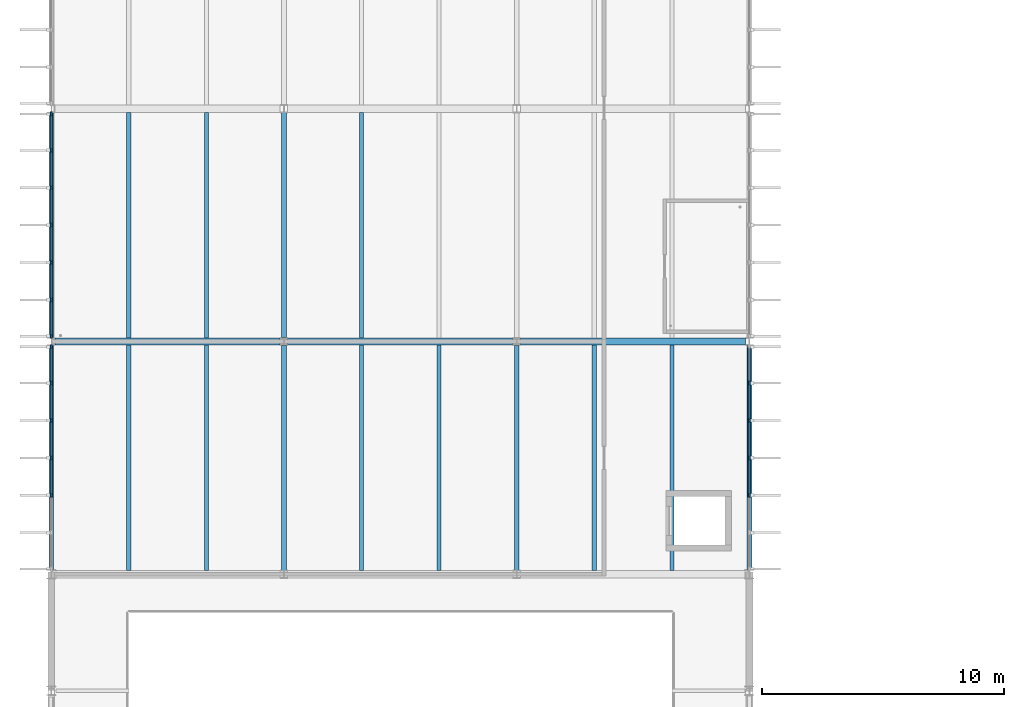
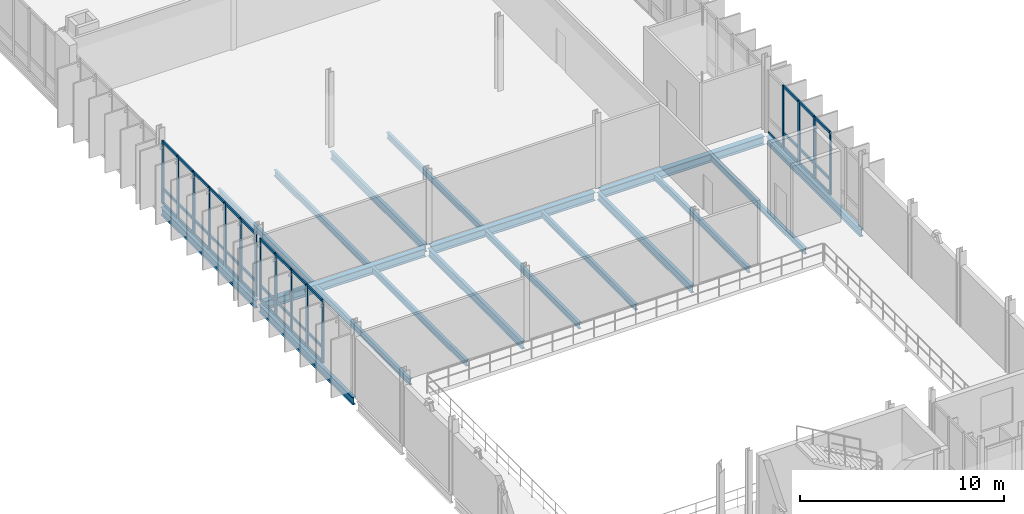
# One storey, part 35 of 107: 56 members, 18 beams, 3 elements without a shape of their own.
"""IFC4 building model written with IfcOpenShell, lengths in metres."""

from ifc_helpers import new_model, si_unit, direction, frame, origin, origin_2d, place, context, subcontext, project, spatial, rectangle, i_section, extrude, material, material_profile, profile_set, type_object, element, aggregate, save


model = new_model("IFC4")

# Units and contexts
model_context = context("Model", 3, precision=1e-05, world=origin(), true_north=direction((0.0, 1.0)))
body_context = subcontext(model_context, "Body", "Model", "MODEL_VIEW")
ifc_project = project(units=[si_unit("LENGTHUNIT", "METRE"), si_unit("AREAUNIT", "SQUARE_METRE"), si_unit("VOLUMEUNIT", "CUBIC_METRE"), si_unit("PLANEANGLEUNIT", "RADIAN"), si_unit("MASSUNIT", "GRAM", prefix="KILO")], contexts=[model_context])

# Site, building, storey
site_placement = place(None, origin())
site = spatial("IfcSite", under=ifc_project, at=site_placement, CompositionType="ELEMENT")
building_placement = place(site_placement, origin())
building = spatial("IfcBuilding", under=site, at=building_placement, Name="Dunescarp Central Library", CompositionType="ELEMENT")
storey_placement = place(building_placement, frame((0.0, 0.0, 5.10009765625)))
storey = spatial("IfcBuildingStorey", under=building, at=storey_placement, Name="L01", CompositionType="ELEMENT", Elevation=5.10009765625)

# Curtain wall, members
ifc_material_1 = material(Name="Marine-grade anodised aluminium 6063-T6", Category="aluminium")
curtain_wall_type = type_object("IfcCurtainWallType", Name="ARC-CW-STICK", PredefinedType="NOTDEFINED", material=ifc_material_1)
curtain_wall_1_placement = place(storey_placement, origin())
curtain_wall_1 = element("IfcCurtainWall", 1, at=curtain_wall_1_placement, inside=storey, type_object=curtain_wall_type, Name="L01 curtain wall CW-V4-118", PredefinedType="NOTDEFINED")
ifc_material_profile_1 = material_profile(ifc_material_1, rectangle(XDim=0.080078125, YDim=0.179931640625, at=origin_2d()), Name="AL 80x180")
ifc_profile_set_1 = profile_set([ifc_material_profile_1], Name="Marine-grade anodised aluminium 6063-T6")
member_type_1 = type_object("IfcMemberType", Name="ARC-CWM-180", PredefinedType="MULLION", material=ifc_profile_set_1)
member_1_placement = place(storey_placement, frame((0.0, 64.058349609375, 0.0), z_axis=(0.0, 0.0, 1.0), x_axis=(-1.0, 0.0, 0.0)))
member_1 = element("IfcMember", 2, at=member_1_placement, type_object=member_type_1, Name="CW-V4-118 mullion 3", PredefinedType="MULLION", context=body_context, shape_type="SweptSolid", body=[
    extrude(rectangle(XDim=0.080078125, YDim=0.179931640625, at=origin_2d()), origin(), (0.0, 0.0, 1.0), 3.73193359375),
])
member_2_placement = place(storey_placement, frame((0.0, 65.60009765625, 0.0), z_axis=(0.0, 0.0, 1.0), x_axis=(-1.0, 0.0, 0.0)))
member_2 = element("IfcMember", 3, at=member_2_placement, type_object=member_type_1, Name="CW-V4-118 mullion 4", PredefinedType="MULLION", context=body_context, shape_type="SweptSolid", body=[
    extrude(rectangle(XDim=0.080078125, YDim=0.179931640625, at=origin_2d()), origin(), (0.0, 0.0, 1.0), 3.73193359375),
])
member_3_placement = place(storey_placement, frame((0.0, 67.1416015625, 0.0), z_axis=(0.0, 0.0, 1.0), x_axis=(-1.0, 0.0, 0.0)))
member_3 = element("IfcMember", 4, at=member_3_placement, type_object=member_type_1, Name="CW-V4-118 mullion 5", PredefinedType="MULLION", context=body_context, shape_type="SweptSolid", body=[
    extrude(rectangle(XDim=0.080078125, YDim=0.179931640625, at=origin_2d()), origin(), (0.0, 0.0, 1.0), 3.73193359375),
])
member_4_placement = place(storey_placement, frame((0.0, 68.683349609375, 0.0), z_axis=(0.0, 0.0, 1.0), x_axis=(-1.0, 0.0, 0.0)))
member_4 = element("IfcMember", 5, at=member_4_placement, type_object=member_type_1, Name="CW-V4-118 mullion 6", PredefinedType="MULLION", context=body_context, shape_type="SweptSolid", body=[
    extrude(rectangle(XDim=0.080078125, YDim=0.179931640625, at=origin_2d()), origin(), (0.0, 0.0, 1.0), 3.73193359375),
])
member_5_placement = place(storey_placement, frame((0.0, 70.18505859375, 0.0), z_axis=(0.0, 0.0, 1.0), x_axis=(-1.0, 0.0, 0.0)))
member_5 = element("IfcMember", 6, at=member_5_placement, type_object=member_type_1, Name="CW-V4-118 mullion 7", PredefinedType="MULLION", context=body_context, shape_type="SweptSolid", body=[
    extrude(rectangle(XDim=0.080078125, YDim=0.179931640625, at=origin_2d()), origin(), (0.0, 0.0, 1.0), 3.73193359375),
])

curtain_wall_2_placement = place(storey_placement, origin())
curtain_wall_2 = element("IfcCurtainWall", 7, at=curtain_wall_2_placement, inside=storey, type_object=curtain_wall_type, Name="L01 curtain wall CW-V4-119", PredefinedType="NOTDEFINED")
member_6_placement = place(storey_placement, frame((28.800048828125, 68.683349609375, 0.0), z_axis=(0.0, 0.0, 1.0), x_axis=(1.0, 0.0, 0.0)))
member_6 = element("IfcMember", 8, at=member_6_placement, type_object=member_type_1, Name="CW-V4-119 mullion 2", PredefinedType="MULLION", context=body_context, shape_type="SweptSolid", body=[
    extrude(rectangle(XDim=0.080078125, YDim=0.179931640625, at=origin_2d()), origin(), (0.0, 0.0, 1.0), 3.73193359375),
])
member_7_placement = place(storey_placement, frame((28.800048828125, 67.1416015625, 0.0), z_axis=(0.0, 0.0, 1.0), x_axis=(1.0, 0.0, 0.0)))
member_7 = element("IfcMember", 9, at=member_7_placement, type_object=member_type_1, Name="CW-V4-119 mullion 3", PredefinedType="MULLION", context=body_context, shape_type="SweptSolid", body=[
    extrude(rectangle(XDim=0.080078125, YDim=0.179931640625, at=origin_2d()), origin(), (0.0, 0.0, 1.0), 3.73193359375),
])
member_8_placement = place(storey_placement, frame((28.800048828125, 65.60009765625, 0.0), z_axis=(0.0, 0.0, 1.0), x_axis=(1.0, 0.0, 0.0)))
member_8 = element("IfcMember", 10, at=member_8_placement, type_object=member_type_1, Name="CW-V4-119 mullion 4", PredefinedType="MULLION", context=body_context, shape_type="SweptSolid", body=[
    extrude(rectangle(XDim=0.080078125, YDim=0.179931640625, at=origin_2d()), origin(), (0.0, 0.0, 1.0), 3.73193359375),
])
member_9_placement = place(storey_placement, frame((28.800048828125, 64.058349609375, 0.0), z_axis=(0.0, 0.0, 1.0), x_axis=(1.0, 0.0, 0.0)))
member_9 = element("IfcMember", 11, at=member_9_placement, type_object=member_type_1, Name="CW-V4-119 mullion 5", PredefinedType="MULLION", context=body_context, shape_type="SweptSolid", body=[
    extrude(rectangle(XDim=0.080078125, YDim=0.179931640625, at=origin_2d()), origin(), (0.0, 0.0, 1.0), 3.73193359375),
])

curtain_wall_3_placement = place(storey_placement, origin())
curtain_wall_3 = element("IfcCurtainWall", 12, at=curtain_wall_3_placement, inside=storey, type_object=curtain_wall_type, Name="L01 curtain wall CW-V4-120", PredefinedType="NOTDEFINED")
member_10_placement = place(storey_placement, frame((0.0, 70.614990234375, 0.0), z_axis=(0.0, 0.0, 1.0), x_axis=(-1.0, 0.0, 0.0)))
member_10 = element("IfcMember", 13, at=member_10_placement, type_object=member_type_1, Name="CW-V4-120 mullion 1", PredefinedType="MULLION", context=body_context, shape_type="SweptSolid", body=[
    extrude(rectangle(XDim=0.080078125, YDim=0.179931640625, at=origin_2d()), origin(), (0.0, 0.0, 1.0), 3.764892578125),
])
member_11_placement = place(storey_placement, frame((0.0, 72.11669921875, 0.0), z_axis=(0.0, 0.0, 1.0), x_axis=(-1.0, 0.0, 0.0)))
member_11 = element("IfcMember", 14, at=member_11_placement, type_object=member_type_1, Name="CW-V4-120 mullion 2", PredefinedType="MULLION", context=body_context, shape_type="SweptSolid", body=[
    extrude(rectangle(XDim=0.080078125, YDim=0.179931640625, at=origin_2d()), origin(), (0.0, 0.0, 1.0), 3.764892578125),
])
member_12_placement = place(storey_placement, frame((0.0, 73.658447265625, 0.0), z_axis=(0.0, 0.0, 1.0), x_axis=(-1.0, 0.0, 0.0)))
member_12 = element("IfcMember", 15, at=member_12_placement, type_object=member_type_1, Name="CW-V4-120 mullion 3", PredefinedType="MULLION", context=body_context, shape_type="SweptSolid", body=[
    extrude(rectangle(XDim=0.080078125, YDim=0.179931640625, at=origin_2d()), origin(), (0.0, 0.0, 1.0), 3.764892578125),
])
member_13_placement = place(storey_placement, frame((0.0, 75.199951171875, 0.0), z_axis=(0.0, 0.0, 1.0), x_axis=(-1.0, 0.0, 0.0)))
member_13 = element("IfcMember", 16, at=member_13_placement, type_object=member_type_1, Name="CW-V4-120 mullion 4", PredefinedType="MULLION", context=body_context, shape_type="SweptSolid", body=[
    extrude(rectangle(XDim=0.080078125, YDim=0.179931640625, at=origin_2d()), origin(), (0.0, 0.0, 1.0), 3.764892578125),
])
member_14_placement = place(storey_placement, frame((0.0, 76.74169921875, 0.0), z_axis=(0.0, 0.0, 1.0), x_axis=(-1.0, 0.0, 0.0)))
member_14 = element("IfcMember", 17, at=member_14_placement, type_object=member_type_1, Name="CW-V4-120 mullion 5", PredefinedType="MULLION", context=body_context, shape_type="SweptSolid", body=[
    extrude(rectangle(XDim=0.080078125, YDim=0.179931640625, at=origin_2d()), origin(), (0.0, 0.0, 1.0), 3.764892578125),
])
member_15_placement = place(storey_placement, frame((0.0, 78.283447265625, 0.0), z_axis=(0.0, 0.0, 1.0), x_axis=(-1.0, 0.0, 0.0)))
member_15 = element("IfcMember", 18, at=member_15_placement, type_object=member_type_1, Name="CW-V4-120 mullion 6", PredefinedType="MULLION", context=body_context, shape_type="SweptSolid", body=[
    extrude(rectangle(XDim=0.080078125, YDim=0.179931640625, at=origin_2d()), origin(), (0.0, 0.0, 1.0), 3.764892578125),
])
member_16_placement = place(storey_placement, frame((0.0, 79.784912109375, 0.0), z_axis=(0.0, 0.0, 1.0), x_axis=(-1.0, 0.0, 0.0)))
member_16 = element("IfcMember", 19, at=member_16_placement, type_object=member_type_1, Name="CW-V4-120 mullion 7", PredefinedType="MULLION", context=body_context, shape_type="SweptSolid", body=[
    extrude(rectangle(XDim=0.080078125, YDim=0.179931640625, at=origin_2d()), origin(), (0.0, 0.0, 1.0), 3.764892578125),
])

# Member
ifc_material_profile_2 = material_profile(ifc_material_1, rectangle(XDim=0.080078125, YDim=0.14990234375, at=origin_2d()), Name="AL 80x150")
ifc_profile_set_2 = profile_set([ifc_material_profile_2], Name="Marine-grade anodised aluminium 6063-T6")
member_type_2 = type_object("IfcMemberType", Name="ARC-CWT-150", PredefinedType="USERDEFINED", material=ifc_profile_set_2)
member_17_placement = place(storey_placement, frame((0.0, 64.098388671875, 0.039794921875), z_axis=(0.0, 1.0, 0.0), x_axis=(-1.0, 0.0, 0.0)))
member_17 = element("IfcMember", 20, at=member_17_placement, type_object=member_type_2, Name="CW-V4-118 transom 3.1", ObjectType="TRANSOM", PredefinedType="USERDEFINED", context=body_context, shape_type="SweptSolid", body=[
    extrude(rectangle(XDim=0.080078125, YDim=0.14990234375, at=origin_2d()), origin(), (0.0, 0.0, 1.0), 1.461669921875),
])

member_18_placement = place(storey_placement, frame((0.0, 64.098388671875, 0.89990234375), z_axis=(0.0, 1.0, 0.0), x_axis=(-1.0, 0.0, 0.0)))
member_18 = element("IfcMember", 21, at=member_18_placement, type_object=member_type_2, Name="CW-V4-118 transom 3.2", ObjectType="TRANSOM", PredefinedType="USERDEFINED", context=body_context, shape_type="SweptSolid", body=[
    extrude(rectangle(XDim=0.080078125, YDim=0.14990234375, at=origin_2d()), origin(), (0.0, 0.0, 1.0), 1.461669921875),
])

member_19_placement = place(storey_placement, frame((0.0, 64.098388671875, 3.69189453125), z_axis=(0.0, 1.0, 0.0), x_axis=(-1.0, 0.0, 0.0)))
member_19 = element("IfcMember", 22, at=member_19_placement, type_object=member_type_2, Name="CW-V4-118 transom 3.3", ObjectType="TRANSOM", PredefinedType="USERDEFINED", context=body_context, shape_type="SweptSolid", body=[
    extrude(rectangle(XDim=0.080078125, YDim=0.14990234375, at=origin_2d()), origin(), (0.0, 0.0, 1.0), 1.461669921875),
])

member_20_placement = place(storey_placement, frame((0.0, 65.639892578125, 0.039794921875), z_axis=(0.0, 1.0, 0.0), x_axis=(-1.0, 0.0, 0.0)))
member_20 = element("IfcMember", 23, at=member_20_placement, type_object=member_type_2, Name="CW-V4-118 transom 4.1", ObjectType="TRANSOM", PredefinedType="USERDEFINED", context=body_context, shape_type="SweptSolid", body=[
    extrude(rectangle(XDim=0.080078125, YDim=0.14990234375, at=origin_2d()), origin(), (0.0, 0.0, 1.0), 1.461669921875),
])

member_21_placement = place(storey_placement, frame((0.0, 65.639892578125, 0.89990234375), z_axis=(0.0, 1.0, 0.0), x_axis=(-1.0, 0.0, 0.0)))
member_21 = element("IfcMember", 24, at=member_21_placement, type_object=member_type_2, Name="CW-V4-118 transom 4.2", ObjectType="TRANSOM", PredefinedType="USERDEFINED", context=body_context, shape_type="SweptSolid", body=[
    extrude(rectangle(XDim=0.080078125, YDim=0.14990234375, at=origin_2d()), origin(), (0.0, 0.0, 1.0), 1.461669921875),
])

member_22_placement = place(storey_placement, frame((0.0, 65.639892578125, 3.69189453125), z_axis=(0.0, 1.0, 0.0), x_axis=(-1.0, 0.0, 0.0)))
member_22 = element("IfcMember", 25, at=member_22_placement, type_object=member_type_2, Name="CW-V4-118 transom 4.3", ObjectType="TRANSOM", PredefinedType="USERDEFINED", context=body_context, shape_type="SweptSolid", body=[
    extrude(rectangle(XDim=0.080078125, YDim=0.14990234375, at=origin_2d()), origin(), (0.0, 0.0, 1.0), 1.461669921875),
])

member_23_placement = place(storey_placement, frame((0.0, 67.181640625, 0.039794921875), z_axis=(0.0, 1.0, 0.0), x_axis=(-1.0, 0.0, 0.0)))
member_23 = element("IfcMember", 26, at=member_23_placement, type_object=member_type_2, Name="CW-V4-118 transom 5.1", ObjectType="TRANSOM", PredefinedType="USERDEFINED", context=body_context, shape_type="SweptSolid", body=[
    extrude(rectangle(XDim=0.080078125, YDim=0.14990234375, at=origin_2d()), origin(), (0.0, 0.0, 1.0), 1.461669921875),
])

member_24_placement = place(storey_placement, frame((0.0, 67.181640625, 0.89990234375), z_axis=(0.0, 1.0, 0.0), x_axis=(-1.0, 0.0, 0.0)))
member_24 = element("IfcMember", 27, at=member_24_placement, type_object=member_type_2, Name="CW-V4-118 transom 5.2", ObjectType="TRANSOM", PredefinedType="USERDEFINED", context=body_context, shape_type="SweptSolid", body=[
    extrude(rectangle(XDim=0.080078125, YDim=0.14990234375, at=origin_2d()), origin(), (0.0, 0.0, 1.0), 1.461669921875),
])

member_25_placement = place(storey_placement, frame((0.0, 67.181640625, 3.69189453125), z_axis=(0.0, 1.0, 0.0), x_axis=(-1.0, 0.0, 0.0)))
member_25 = element("IfcMember", 28, at=member_25_placement, type_object=member_type_2, Name="CW-V4-118 transom 5.3", ObjectType="TRANSOM", PredefinedType="USERDEFINED", context=body_context, shape_type="SweptSolid", body=[
    extrude(rectangle(XDim=0.080078125, YDim=0.14990234375, at=origin_2d()), origin(), (0.0, 0.0, 1.0), 1.461669921875),
])

member_26_placement = place(storey_placement, frame((0.0, 68.723388671875, 0.039794921875), z_axis=(0.0, 1.0, 0.0), x_axis=(-1.0, 0.0, 0.0)))
member_26 = element("IfcMember", 29, at=member_26_placement, type_object=member_type_2, Name="CW-V4-118 transom 6.1", ObjectType="TRANSOM", PredefinedType="USERDEFINED", context=body_context, shape_type="SweptSolid", body=[
    extrude(rectangle(XDim=0.080078125, YDim=0.14990234375, at=origin_2d()), origin(), (0.0, 0.0, 1.0), 1.421630859375),
])

member_27_placement = place(storey_placement, frame((0.0, 68.723388671875, 0.89990234375), z_axis=(0.0, 1.0, 0.0), x_axis=(-1.0, 0.0, 0.0)))
member_27 = element("IfcMember", 30, at=member_27_placement, type_object=member_type_2, Name="CW-V4-118 transom 6.2", ObjectType="TRANSOM", PredefinedType="USERDEFINED", context=body_context, shape_type="SweptSolid", body=[
    extrude(rectangle(XDim=0.080078125, YDim=0.14990234375, at=origin_2d()), origin(), (0.0, 0.0, 1.0), 1.421630859375),
])

member_28_placement = place(storey_placement, frame((0.0, 68.723388671875, 3.69189453125), z_axis=(0.0, 1.0, 0.0), x_axis=(-1.0, 0.0, 0.0)))
member_28 = element("IfcMember", 31, at=member_28_placement, type_object=member_type_2, Name="CW-V4-118 transom 6.3", ObjectType="TRANSOM", PredefinedType="USERDEFINED", context=body_context, shape_type="SweptSolid", body=[
    extrude(rectangle(XDim=0.080078125, YDim=0.14990234375, at=origin_2d()), origin(), (0.0, 0.0, 1.0), 1.421630859375),
])

aggregate(curtain_wall_1, [member_1, member_2, member_3, member_4, member_5, member_17, member_18, member_19, member_20, member_21, member_22, member_23, member_24, member_25, member_26, member_27, member_28])

member_29_placement = place(storey_placement, frame((28.800048828125, 70.14501953125, 0.039794921875), z_axis=(0.0, -1.0, 0.0), x_axis=(1.0, 0.0, 0.0)))
member_29 = element("IfcMember", 32, at=member_29_placement, type_object=member_type_2, Name="CW-V4-119 transom 1.1", ObjectType="TRANSOM", PredefinedType="USERDEFINED", context=body_context, shape_type="SweptSolid", body=[
    extrude(rectangle(XDim=0.080078125, YDim=0.14990234375, at=origin_2d()), origin(), (0.0, 0.0, 1.0), 1.421630859375),
])

member_30_placement = place(storey_placement, frame((28.800048828125, 68.643310546875, 0.039794921875), z_axis=(0.0, -1.0, 0.0), x_axis=(1.0, 0.0, 0.0)))
member_30 = element("IfcMember", 33, at=member_30_placement, type_object=member_type_2, Name="CW-V4-119 transom 2.1", ObjectType="TRANSOM", PredefinedType="USERDEFINED", context=body_context, shape_type="SweptSolid", body=[
    extrude(rectangle(XDim=0.080078125, YDim=0.14990234375, at=origin_2d()), origin(), (0.0, 0.0, 1.0), 1.461669921875),
])

member_31_placement = place(storey_placement, frame((28.800048828125, 68.643310546875, 0.89990234375), z_axis=(0.0, -1.0, 0.0), x_axis=(1.0, 0.0, 0.0)))
member_31 = element("IfcMember", 34, at=member_31_placement, type_object=member_type_2, Name="CW-V4-119 transom 2.2", ObjectType="TRANSOM", PredefinedType="USERDEFINED", context=body_context, shape_type="SweptSolid", body=[
    extrude(rectangle(XDim=0.080078125, YDim=0.14990234375, at=origin_2d()), origin(), (0.0, 0.0, 1.0), 1.461669921875),
])

member_32_placement = place(storey_placement, frame((28.800048828125, 68.643310546875, 3.69189453125), z_axis=(0.0, -1.0, 0.0), x_axis=(1.0, 0.0, 0.0)))
member_32 = element("IfcMember", 35, at=member_32_placement, type_object=member_type_2, Name="CW-V4-119 transom 2.3", ObjectType="TRANSOM", PredefinedType="USERDEFINED", context=body_context, shape_type="SweptSolid", body=[
    extrude(rectangle(XDim=0.080078125, YDim=0.14990234375, at=origin_2d()), origin(), (0.0, 0.0, 1.0), 1.461669921875),
])

member_33_placement = place(storey_placement, frame((28.800048828125, 67.1015625, 0.039794921875), z_axis=(0.0, -1.0, 0.0), x_axis=(1.0, 0.0, 0.0)))
member_33 = element("IfcMember", 36, at=member_33_placement, type_object=member_type_2, Name="CW-V4-119 transom 3.1", ObjectType="TRANSOM", PredefinedType="USERDEFINED", context=body_context, shape_type="SweptSolid", body=[
    extrude(rectangle(XDim=0.080078125, YDim=0.14990234375, at=origin_2d()), origin(), (0.0, 0.0, 1.0), 1.461669921875),
])

member_34_placement = place(storey_placement, frame((28.800048828125, 67.1015625, 0.89990234375), z_axis=(0.0, -1.0, 0.0), x_axis=(1.0, 0.0, 0.0)))
member_34 = element("IfcMember", 37, at=member_34_placement, type_object=member_type_2, Name="CW-V4-119 transom 3.2", ObjectType="TRANSOM", PredefinedType="USERDEFINED", context=body_context, shape_type="SweptSolid", body=[
    extrude(rectangle(XDim=0.080078125, YDim=0.14990234375, at=origin_2d()), origin(), (0.0, 0.0, 1.0), 1.461669921875),
])

member_35_placement = place(storey_placement, frame((28.800048828125, 67.1015625, 3.69189453125), z_axis=(0.0, -1.0, 0.0), x_axis=(1.0, 0.0, 0.0)))
member_35 = element("IfcMember", 38, at=member_35_placement, type_object=member_type_2, Name="CW-V4-119 transom 3.3", ObjectType="TRANSOM", PredefinedType="USERDEFINED", context=body_context, shape_type="SweptSolid", body=[
    extrude(rectangle(XDim=0.080078125, YDim=0.14990234375, at=origin_2d()), origin(), (0.0, 0.0, 1.0), 1.461669921875),
])

member_36_placement = place(storey_placement, frame((28.800048828125, 65.56005859375, 0.039794921875), z_axis=(0.0, -1.0, 0.0), x_axis=(1.0, 0.0, 0.0)))
member_36 = element("IfcMember", 39, at=member_36_placement, type_object=member_type_2, Name="CW-V4-119 transom 4.1", ObjectType="TRANSOM", PredefinedType="USERDEFINED", context=body_context, shape_type="SweptSolid", body=[
    extrude(rectangle(XDim=0.080078125, YDim=0.14990234375, at=origin_2d()), origin(), (0.0, 0.0, 1.0), 1.461669921875),
])

member_37_placement = place(storey_placement, frame((28.800048828125, 65.56005859375, 0.89990234375), z_axis=(0.0, -1.0, 0.0), x_axis=(1.0, 0.0, 0.0)))
member_37 = element("IfcMember", 40, at=member_37_placement, type_object=member_type_2, Name="CW-V4-119 transom 4.2", ObjectType="TRANSOM", PredefinedType="USERDEFINED", context=body_context, shape_type="SweptSolid", body=[
    extrude(rectangle(XDim=0.080078125, YDim=0.14990234375, at=origin_2d()), origin(), (0.0, 0.0, 1.0), 1.461669921875),
])

member_38_placement = place(storey_placement, frame((28.800048828125, 65.56005859375, 3.69189453125), z_axis=(0.0, -1.0, 0.0), x_axis=(1.0, 0.0, 0.0)))
member_38 = element("IfcMember", 41, at=member_38_placement, type_object=member_type_2, Name="CW-V4-119 transom 4.3", ObjectType="TRANSOM", PredefinedType="USERDEFINED", context=body_context, shape_type="SweptSolid", body=[
    extrude(rectangle(XDim=0.080078125, YDim=0.14990234375, at=origin_2d()), origin(), (0.0, 0.0, 1.0), 1.461669921875),
])

aggregate(curtain_wall_2, [member_6, member_7, member_8, member_9, member_29, member_30, member_31, member_32, member_33, member_34, member_35, member_36, member_37, member_38])

member_39_placement = place(storey_placement, frame((0.0, 70.655029296875, 0.039794921875), z_axis=(0.0, 1.0, 0.0), x_axis=(-1.0, 0.0, 0.0)))
member_39 = element("IfcMember", 42, at=member_39_placement, type_object=member_type_2, Name="CW-V4-120 transom 1.1", ObjectType="TRANSOM", PredefinedType="USERDEFINED", context=body_context, shape_type="SweptSolid", body=[
    extrude(rectangle(XDim=0.080078125, YDim=0.14990234375, at=origin_2d()), origin(), (0.0, 0.0, 1.0), 1.421630859375),
])

member_40_placement = place(storey_placement, frame((0.0, 70.655029296875, 0.89990234375), z_axis=(0.0, 1.0, 0.0), x_axis=(-1.0, 0.0, 0.0)))
member_40 = element("IfcMember", 43, at=member_40_placement, type_object=member_type_2, Name="CW-V4-120 transom 1.2", ObjectType="TRANSOM", PredefinedType="USERDEFINED", context=body_context, shape_type="SweptSolid", body=[
    extrude(rectangle(XDim=0.080078125, YDim=0.14990234375, at=origin_2d()), origin(), (0.0, 0.0, 1.0), 1.421630859375),
])

member_41_placement = place(storey_placement, frame((0.0, 70.655029296875, 3.724853515625), z_axis=(0.0, 1.0, 0.0), x_axis=(-1.0, 0.0, 0.0)))
member_41 = element("IfcMember", 44, at=member_41_placement, type_object=member_type_2, Name="CW-V4-120 transom 1.3", ObjectType="TRANSOM", PredefinedType="USERDEFINED", context=body_context, shape_type="SweptSolid", body=[
    extrude(rectangle(XDim=0.080078125, YDim=0.14990234375, at=origin_2d()), origin(), (0.0, 0.0, 1.0), 1.421630859375),
])

member_42_placement = place(storey_placement, frame((0.0, 72.15673828125, 0.039794921875), z_axis=(0.0, 1.0, 0.0), x_axis=(-1.0, 0.0, 0.0)))
member_42 = element("IfcMember", 45, at=member_42_placement, type_object=member_type_2, Name="CW-V4-120 transom 2.1", ObjectType="TRANSOM", PredefinedType="USERDEFINED", context=body_context, shape_type="SweptSolid", body=[
    extrude(rectangle(XDim=0.080078125, YDim=0.14990234375, at=origin_2d()), origin(), (0.0, 0.0, 1.0), 1.461669921875),
])

member_43_placement = place(storey_placement, frame((0.0, 72.15673828125, 0.89990234375), z_axis=(0.0, 1.0, 0.0), x_axis=(-1.0, 0.0, 0.0)))
member_43 = element("IfcMember", 46, at=member_43_placement, type_object=member_type_2, Name="CW-V4-120 transom 2.2", ObjectType="TRANSOM", PredefinedType="USERDEFINED", context=body_context, shape_type="SweptSolid", body=[
    extrude(rectangle(XDim=0.080078125, YDim=0.14990234375, at=origin_2d()), origin(), (0.0, 0.0, 1.0), 1.461669921875),
])

member_44_placement = place(storey_placement, frame((0.0, 72.15673828125, 3.724853515625), z_axis=(0.0, 1.0, 0.0), x_axis=(-1.0, 0.0, 0.0)))
member_44 = element("IfcMember", 47, at=member_44_placement, type_object=member_type_2, Name="CW-V4-120 transom 2.3", ObjectType="TRANSOM", PredefinedType="USERDEFINED", context=body_context, shape_type="SweptSolid", body=[
    extrude(rectangle(XDim=0.080078125, YDim=0.14990234375, at=origin_2d()), origin(), (0.0, 0.0, 1.0), 1.461669921875),
])

member_45_placement = place(storey_placement, frame((0.0, 73.6982421875, 0.039794921875), z_axis=(0.0, 1.0, 0.0), x_axis=(-1.0, 0.0, 0.0)))
member_45 = element("IfcMember", 48, at=member_45_placement, type_object=member_type_2, Name="CW-V4-120 transom 3.1", ObjectType="TRANSOM", PredefinedType="USERDEFINED", context=body_context, shape_type="SweptSolid", body=[
    extrude(rectangle(XDim=0.080078125, YDim=0.14990234375, at=origin_2d()), origin(), (0.0, 0.0, 1.0), 1.461669921875),
])

member_46_placement = place(storey_placement, frame((0.0, 73.6982421875, 0.89990234375), z_axis=(0.0, 1.0, 0.0), x_axis=(-1.0, 0.0, 0.0)))
member_46 = element("IfcMember", 49, at=member_46_placement, type_object=member_type_2, Name="CW-V4-120 transom 3.2", ObjectType="TRANSOM", PredefinedType="USERDEFINED", context=body_context, shape_type="SweptSolid", body=[
    extrude(rectangle(XDim=0.080078125, YDim=0.14990234375, at=origin_2d()), origin(), (0.0, 0.0, 1.0), 1.461669921875),
])

member_47_placement = place(storey_placement, frame((0.0, 73.6982421875, 3.724853515625), z_axis=(0.0, 1.0, 0.0), x_axis=(-1.0, 0.0, 0.0)))
member_47 = element("IfcMember", 50, at=member_47_placement, type_object=member_type_2, Name="CW-V4-120 transom 3.3", ObjectType="TRANSOM", PredefinedType="USERDEFINED", context=body_context, shape_type="SweptSolid", body=[
    extrude(rectangle(XDim=0.080078125, YDim=0.14990234375, at=origin_2d()), origin(), (0.0, 0.0, 1.0), 1.461669921875),
])

member_48_placement = place(storey_placement, frame((0.0, 75.239990234375, 0.039794921875), z_axis=(0.0, 1.0, 0.0), x_axis=(-1.0, 0.0, 0.0)))
member_48 = element("IfcMember", 51, at=member_48_placement, type_object=member_type_2, Name="CW-V4-120 transom 4.1", ObjectType="TRANSOM", PredefinedType="USERDEFINED", context=body_context, shape_type="SweptSolid", body=[
    extrude(rectangle(XDim=0.080078125, YDim=0.14990234375, at=origin_2d()), origin(), (0.0, 0.0, 1.0), 1.461669921875),
])

member_49_placement = place(storey_placement, frame((0.0, 75.239990234375, 0.89990234375), z_axis=(0.0, 1.0, 0.0), x_axis=(-1.0, 0.0, 0.0)))
member_49 = element("IfcMember", 52, at=member_49_placement, type_object=member_type_2, Name="CW-V4-120 transom 4.2", ObjectType="TRANSOM", PredefinedType="USERDEFINED", context=body_context, shape_type="SweptSolid", body=[
    extrude(rectangle(XDim=0.080078125, YDim=0.14990234375, at=origin_2d()), origin(), (0.0, 0.0, 1.0), 1.461669921875),
])

member_50_placement = place(storey_placement, frame((0.0, 75.239990234375, 3.724853515625), z_axis=(0.0, 1.0, 0.0), x_axis=(-1.0, 0.0, 0.0)))
member_50 = element("IfcMember", 53, at=member_50_placement, type_object=member_type_2, Name="CW-V4-120 transom 4.3", ObjectType="TRANSOM", PredefinedType="USERDEFINED", context=body_context, shape_type="SweptSolid", body=[
    extrude(rectangle(XDim=0.080078125, YDim=0.14990234375, at=origin_2d()), origin(), (0.0, 0.0, 1.0), 1.461669921875),
])

member_51_placement = place(storey_placement, frame((0.0, 76.78173828125, 0.039794921875), z_axis=(0.0, 1.0, 0.0), x_axis=(-1.0, 0.0, 0.0)))
member_51 = element("IfcMember", 54, at=member_51_placement, type_object=member_type_2, Name="CW-V4-120 transom 5.1", ObjectType="TRANSOM", PredefinedType="USERDEFINED", context=body_context, shape_type="SweptSolid", body=[
    extrude(rectangle(XDim=0.080078125, YDim=0.14990234375, at=origin_2d()), origin(), (0.0, 0.0, 1.0), 1.461669921875),
])

member_52_placement = place(storey_placement, frame((0.0, 76.78173828125, 0.89990234375), z_axis=(0.0, 1.0, 0.0), x_axis=(-1.0, 0.0, 0.0)))
member_52 = element("IfcMember", 55, at=member_52_placement, type_object=member_type_2, Name="CW-V4-120 transom 5.2", ObjectType="TRANSOM", PredefinedType="USERDEFINED", context=body_context, shape_type="SweptSolid", body=[
    extrude(rectangle(XDim=0.080078125, YDim=0.14990234375, at=origin_2d()), origin(), (0.0, 0.0, 1.0), 1.461669921875),
])

member_53_placement = place(storey_placement, frame((0.0, 76.78173828125, 3.724853515625), z_axis=(0.0, 1.0, 0.0), x_axis=(-1.0, 0.0, 0.0)))
member_53 = element("IfcMember", 56, at=member_53_placement, type_object=member_type_2, Name="CW-V4-120 transom 5.3", ObjectType="TRANSOM", PredefinedType="USERDEFINED", context=body_context, shape_type="SweptSolid", body=[
    extrude(rectangle(XDim=0.080078125, YDim=0.14990234375, at=origin_2d()), origin(), (0.0, 0.0, 1.0), 1.461669921875),
])

member_54_placement = place(storey_placement, frame((0.0, 78.3232421875, 0.039794921875), z_axis=(0.0, 1.0, 0.0), x_axis=(-1.0, 0.0, 0.0)))
member_54 = element("IfcMember", 57, at=member_54_placement, type_object=member_type_2, Name="CW-V4-120 transom 6.1", ObjectType="TRANSOM", PredefinedType="USERDEFINED", context=body_context, shape_type="SweptSolid", body=[
    extrude(rectangle(XDim=0.080078125, YDim=0.14990234375, at=origin_2d()), origin(), (0.0, 0.0, 1.0), 1.421875),
])

member_55_placement = place(storey_placement, frame((0.0, 78.3232421875, 0.89990234375), z_axis=(0.0, 1.0, 0.0), x_axis=(-1.0, 0.0, 0.0)))
member_55 = element("IfcMember", 58, at=member_55_placement, type_object=member_type_2, Name="CW-V4-120 transom 6.2", ObjectType="TRANSOM", PredefinedType="USERDEFINED", context=body_context, shape_type="SweptSolid", body=[
    extrude(rectangle(XDim=0.080078125, YDim=0.14990234375, at=origin_2d()), origin(), (0.0, 0.0, 1.0), 1.421875),
])

member_56_placement = place(storey_placement, frame((0.0, 78.3232421875, 3.724853515625), z_axis=(0.0, 1.0, 0.0), x_axis=(-1.0, 0.0, 0.0)))
member_56 = element("IfcMember", 59, at=member_56_placement, type_object=member_type_2, Name="CW-V4-120 transom 6.3", ObjectType="TRANSOM", PredefinedType="USERDEFINED", context=body_context, shape_type="SweptSolid", body=[
    extrude(rectangle(XDim=0.080078125, YDim=0.14990234375, at=origin_2d()), origin(), (0.0, 0.0, 1.0), 1.421875),
])

aggregate(curtain_wall_3, [member_10, member_11, member_12, member_13, member_14, member_15, member_16, member_39, member_40, member_41, member_42, member_43, member_44, member_45, member_46, member_47, member_48, member_49, member_50, member_51, member_52, member_53, member_54, member_55, member_56])

# Beams
ifc_material_2 = material(Name="Steel S355JR", Category="steel")
ifc_material_profile_3 = material_profile(ifc_material_2, i_section(OverallWidth=0.300048828125, OverallDepth=0.5, WebThickness=0.014404296875, FlangeThickness=0.028076171875, at=origin_2d()), Name="HEB 500")
ifc_profile_set_3 = profile_set([ifc_material_profile_3], Name="Steel S355JR")
beam_type_1 = type_object("IfcBeamType", Name="STR-BM-HEB500", PredefinedType="BEAM", material=ifc_profile_set_3)
beam_1_placement = place(storey_placement, frame((0.153076171875, 70.39990234375, -0.47021484375), z_axis=(1.0, 0.0, 0.0), x_axis=(0.0, 1.0, 0.0)))
element("IfcBeam", 60, at=beam_1_placement, inside=storey, type_object=beam_type_1, Name="L01 girder BM-L01-0946", PredefinedType="BEAM", context=body_context, shape_type="SweptSolid", body=[
    extrude(i_section(OverallWidth=0.300048828125, OverallDepth=0.5, WebThickness=0.014404296875, FlangeThickness=0.028076171875, at=origin_2d()), origin(), (0.0, 0.0, 1.0), 9.2939453125),
])
beam_2_placement = place(storey_placement, frame((9.7529296875, 70.39990234375, -0.47021484375), z_axis=(1.0, 0.0, 0.0), x_axis=(0.0, 1.0, 0.0)))
element("IfcBeam", 61, at=beam_2_placement, inside=storey, type_object=beam_type_1, Name="L01 girder BM-L01-0962", PredefinedType="BEAM", context=body_context, shape_type="SweptSolid", body=[
    extrude(i_section(OverallWidth=0.300048828125, OverallDepth=0.5, WebThickness=0.014404296875, FlangeThickness=0.028076171875, at=origin_2d()), origin(), (0.0, 0.0, 1.0), 9.294189453125),
])
beam_3_placement = place(storey_placement, frame((19.35302734375, 70.39990234375, -0.47021484375), z_axis=(1.0, 0.0, 0.0), x_axis=(0.0, 1.0, 0.0)))
element("IfcBeam", 62, at=beam_3_placement, inside=storey, type_object=beam_type_1, Name="L01 girder BM-L01-0975", PredefinedType="BEAM", context=body_context, shape_type="SweptSolid", body=[
    extrude(i_section(OverallWidth=0.300048828125, OverallDepth=0.5, WebThickness=0.014404296875, FlangeThickness=0.028076171875, at=origin_2d()), origin(), (0.0, 0.0, 1.0), 9.2939453125),
])
ifc_material_profile_4 = material_profile(ifc_material_2, i_section(OverallWidth=0.18994140625, OverallDepth=0.453369140625, WebThickness=0.008544921875, FlangeThickness=0.0126953125, at=origin_2d()), Name="UB 457x191x67")
ifc_profile_set_4 = profile_set([ifc_material_profile_4], Name="Steel S355JR")
beam_type_2 = type_object("IfcBeamType", Name="STR-BM-UB457", PredefinedType="BEAM", material=ifc_profile_set_4)
beam_4_placement = place(storey_placement, frame((0.0, 60.988037109375, -0.447021484375), z_axis=(0.0, 1.0, 0.0), x_axis=(-1.0, 0.0, 0.0)))
element("IfcBeam", 63, at=beam_4_placement, inside=storey, type_object=beam_type_2, Name="L01 girder BM-L01-0947", PredefinedType="BEAM", context=body_context, shape_type="SweptSolid", body=[
    extrude(i_section(OverallWidth=0.18994140625, OverallDepth=0.453369140625, WebThickness=0.008544921875, FlangeThickness=0.0126953125, at=origin_2d()), origin(), (0.0, 0.0, 1.0), 9.2509765625),
])
for number, where, z_axis, x_axis, name in (
    (64, (9.60009765625, 60.9609375, -0.447021484375), (0.0, 1.0, 0.0), (-1.0, 0.0, 0.0), "L01 girder BM-L01-0948"),
    (65, (0.0, 70.56103515625, -0.447021484375), (0.0, 1.0, 0.0), (-1.0, 0.0, 0.0), "L01 girder BM-L01-0952"),
    (66, (9.60009765625, 70.56103515625, -0.447021484375), (0.0, 1.0, 0.0), (-1.0, 0.0, 0.0), "L01 girder BM-L01-0953"),
    (67, (19.199951171875, 60.9609375, -0.447021484375), (0.0, 1.0, 0.0), (-1.0, 0.0, 0.0), "L01 girder BM-L01-0963"),
):
    element("IfcBeam", number, at=place(storey_placement, frame(where, z_axis=z_axis, x_axis=x_axis)), inside=storey, type_object=beam_type_2, Name=name, PredefinedType="BEAM", context=body_context, shape_type="SweptSolid", body=[
        extrude(i_section(OverallWidth=0.18994140625, OverallDepth=0.453369140625, WebThickness=0.008544921875, FlangeThickness=0.0126953125, at=origin_2d()), origin(), (0.0, 0.0, 1.0), 9.278076171875),
    ])
beam_5_placement = place(storey_placement, frame((28.800048828125, 60.988037109375, -0.447021484375), z_axis=(0.0, 1.0, 0.0), x_axis=(-1.0, 0.0, 0.0)))
element("IfcBeam", 68, at=beam_5_placement, inside=storey, type_object=beam_type_2, Name="L01 girder BM-L01-0976", PredefinedType="BEAM", context=body_context, shape_type="SweptSolid", body=[
    extrude(i_section(OverallWidth=0.18994140625, OverallDepth=0.453369140625, WebThickness=0.008544921875, FlangeThickness=0.0126953125, at=origin_2d()), origin(), (0.0, 0.0, 1.0), 9.2509765625),
])
ifc_material_profile_5 = material_profile(ifc_material_2, i_section(OverallWidth=0.169921875, OverallDepth=0.360107421875, WebThickness=0.008056640625, FlangeThickness=0.0126953125, at=origin_2d()), Name="IPE 360")
ifc_profile_set_5 = profile_set([ifc_material_profile_5], Name="Steel S355JR")
beam_type_3 = type_object("IfcBeamType", Name="STR-JS-IPE360", PredefinedType="JOIST", material=ifc_profile_set_5)
for number, where, z_axis, x_axis, name in (
    (69, (3.199951171875, 60.947998046875, -0.400146484375), (0.0, 1.0, 0.0), (-1.0, 0.0, 0.0), "L01 joist JS-L01-0949"),
    (70, (6.39990234375, 60.947998046875, -0.400146484375), (0.0, 1.0, 0.0), (-1.0, 0.0, 0.0), "L01 joist JS-L01-0950"),
    (71, (3.199951171875, 70.548095703125, -0.400146484375), (0.0, 1.0, 0.0), (-1.0, 0.0, 0.0), "L01 joist JS-L01-0954"),
    (72, (6.39990234375, 70.548095703125, -0.400146484375), (0.0, 1.0, 0.0), (-1.0, 0.0, 0.0), "L01 joist JS-L01-0955"),
    (73, (12.800048828125, 60.947998046875, -0.400146484375), (0.0, 1.0, 0.0), (-1.0, 0.0, 0.0), "L01 joist JS-L01-0964"),
    (74, (16.0, 60.947998046875, -0.400146484375), (0.0, 1.0, 0.0), (-1.0, 0.0, 0.0), "L01 joist JS-L01-0965"),
    (75, (12.800048828125, 70.548095703125, -0.400146484375), (0.0, 1.0, 0.0), (-1.0, 0.0, 0.0), "L01 joist JS-L01-0968"),
    (76, (22.39990234375, 60.947998046875, -0.400146484375), (0.0, 1.0, 0.0), (-1.0, 0.0, 0.0), "L01 joist JS-L01-0977"),
    (77, (25.60009765625, 60.947998046875, -0.400146484375), (0.0, 1.0, 0.0), (-1.0, 0.0, 0.0), "L01 joist JS-L01-0978"),
):
    element("IfcBeam", number, at=place(storey_placement, frame(where, z_axis=z_axis, x_axis=x_axis)), inside=storey, type_object=beam_type_3, Name=name, PredefinedType="JOIST", context=body_context, shape_type="SweptSolid", body=[
        extrude(i_section(OverallWidth=0.169921875, OverallDepth=0.360107421875, WebThickness=0.008056640625, FlangeThickness=0.0126953125, at=origin_2d()), origin(), (0.0, 0.0, 1.0), 9.303955078125),
    ])

save(model, "model.ifc")
